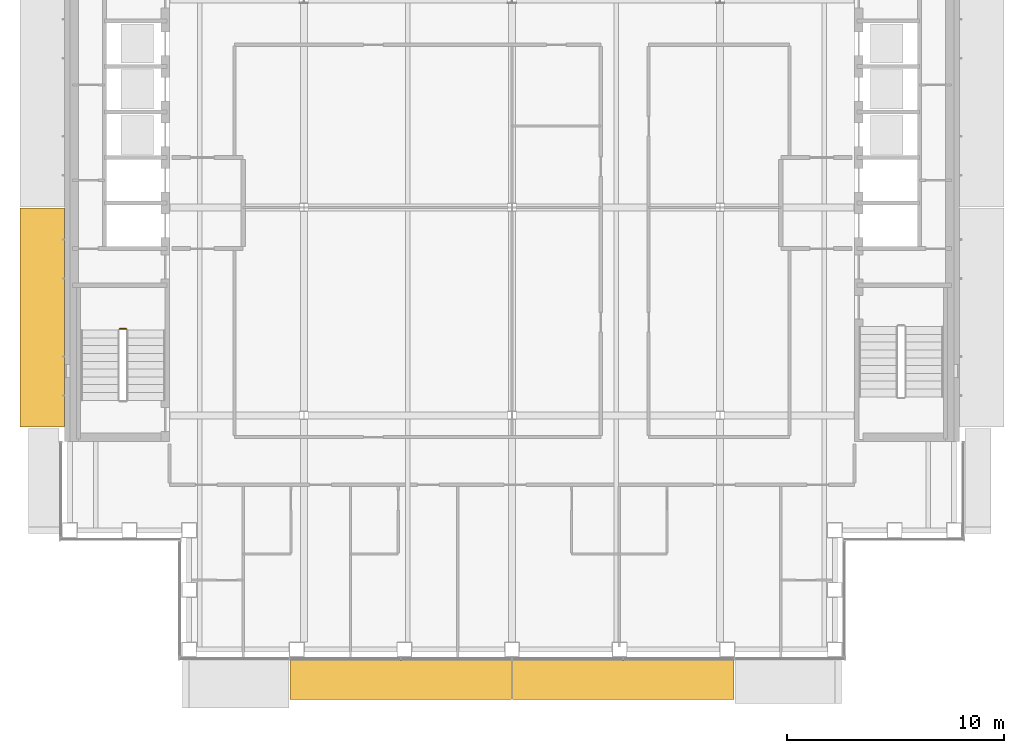
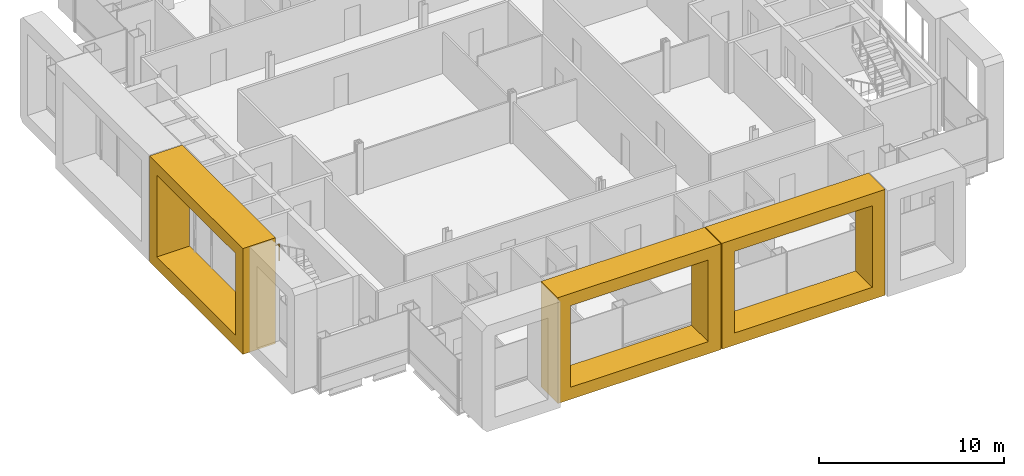
# One storey, part 14 of 19: 3 coverings, 1 railing.
"""IFC4 building model written with IfcOpenShell, lengths in metres."""

from ifc_helpers import new_model, si_unit, direction, frame, origin, origin_2d, place, context, subcontext, project, spatial, polyline, circle, outline, extrude, material, type_object, element, save


model = new_model("IFC4")

# Units and contexts
model_context = context("Model", 3, precision=1e-05, world=origin(), true_north=direction((0.0, 1.0)))
body_context = subcontext(model_context, "Body", "Model", "MODEL_VIEW")
ifc_project = project(units=[si_unit("LENGTHUNIT", "METRE"), si_unit("AREAUNIT", "SQUARE_METRE"), si_unit("VOLUMEUNIT", "CUBIC_METRE"), si_unit("PLANEANGLEUNIT", "RADIAN"), si_unit("MASSUNIT", "GRAM", prefix="KILO")], contexts=[model_context])

# Site, building, storey
site_placement = place(None, origin())
site = spatial("IfcSite", under=ifc_project, at=site_placement, CompositionType="ELEMENT")
building_placement = place(site_placement, origin())
building = spatial("IfcBuilding", under=site, at=building_placement, Name="Cobrizo Arcos Hotel Tower", CompositionType="ELEMENT")
storey_placement = place(building_placement, frame((0.0, 0.0, 198.0)))
storey = spatial("IfcBuildingStorey", under=building, at=storey_placement, Name="L51", CompositionType="ELEMENT", Elevation=198.0)

# Coverings
ifc_material_1 = material(Name="Aluminium 6063-T6 anodised bronze", Category="aluminium")
covering_type_1 = type_object("IfcCoveringType", Name="FIN-F 1800", PredefinedType="CLADDING", material=ifc_material_1)
for number, where, z_axis, x_axis, name in (
    (1, (-10.24169921875, -20.89990234375, 0.0), (0.0, -1.0, 0.0), (1.0, 0.0, 0.0), "Fin frame 328"),
    (2, (0.02490234375, -20.89990234375, 0.0), (0.0, -1.0, 0.0), (1.0, 0.0, 0.0), "Fin frame 329"),
):
    element("IfcCovering", number, at=place(storey_placement, frame(where, z_axis=z_axis, x_axis=x_axis)), inside=storey, type_object=covering_type_1, Name=name, PredefinedType="CLADDING", context=body_context, shape_type="SweptSolid", body=[
        extrude(outline(polyline([(0.0, 7.0), (0.0, 0.0), (10.216796875, 0.0), (10.216796875, 7.0), (0.0, 7.0)]), holes=[polyline([(9.416748046875, 0.800048828125), (0.800048828125, 0.800048828125), (0.800048828125, 6.199951171875), (9.416748046875, 6.199951171875), (9.416748046875, 0.800048828125)])]), origin(), (0.0, 0.0, 1.0), 1.800048828125),
    ])
covering_type_2 = type_object("IfcCoveringType", Name="FIN-F 2050", PredefinedType="CLADDING", material=ifc_material_1)
covering_placement = place(storey_placement, frame((-20.64990234375, -0.02490234375, 0.0), z_axis=(-1.0, 0.0, 0.0), x_axis=(0.0, -1.0, 0.0)))
element("IfcCovering", 3, at=covering_placement, inside=storey, type_object=covering_type_2, Name="Fin frame 347", PredefinedType="CLADDING", context=body_context, shape_type="SweptSolid", body=[
    extrude(outline(polyline([(0.0, 7.0), (0.0, 0.0), (10.11669921875, 0.0), (10.11669921875, 7.0), (0.0, 7.0)]), holes=[polyline([(9.316650390625, 0.800048828125), (0.800048828125, 0.800048828125), (0.800048828125, 6.199951171875), (9.316650390625, 6.199951171875), (9.316650390625, 0.800048828125)])]), origin(), (0.0, 0.0, 1.0), 2.050048828125),
])

# Railing
ifc_material_2 = material(Name="Stainless steel railing", Category="steel")
railing_type = type_object("IfcRailingType", Name="Stair guard 1100", PredefinedType="GUARDRAIL", material=ifc_material_2)
railing_placement = place(storey_placement, frame((-17.800048828125, -5.610107421875, 1.75)))
element("IfcRailing", 4, at=railing_placement, inside=storey, type_object=railing_type, Name="L51 ST-W stair guard 2", PredefinedType="GUARDRAIL", context=body_context, shape_type="SweptSolid", body=[
    extrude(circle(Radius=0.02392578125, at=origin_2d()), frame((0.0, 0.0, 1.076171875), z_axis=(-1.0, 0.0, 0.0), x_axis=(0.0, -1.0, 0.0)), (0.0, 0.0, 1.0), 0.300048828125),
    extrude(circle(Radius=0.02099609375, at=origin_2d()), origin(), (0.0, 0.0, 1.0), 1.052001953125),
    extrude(circle(Radius=0.02099609375, at=origin_2d()), frame((-0.300048828125, 0.0, 0.0)), (0.0, 0.0, 1.0), 1.052001953125),
])

save(model, "model.ifc")
